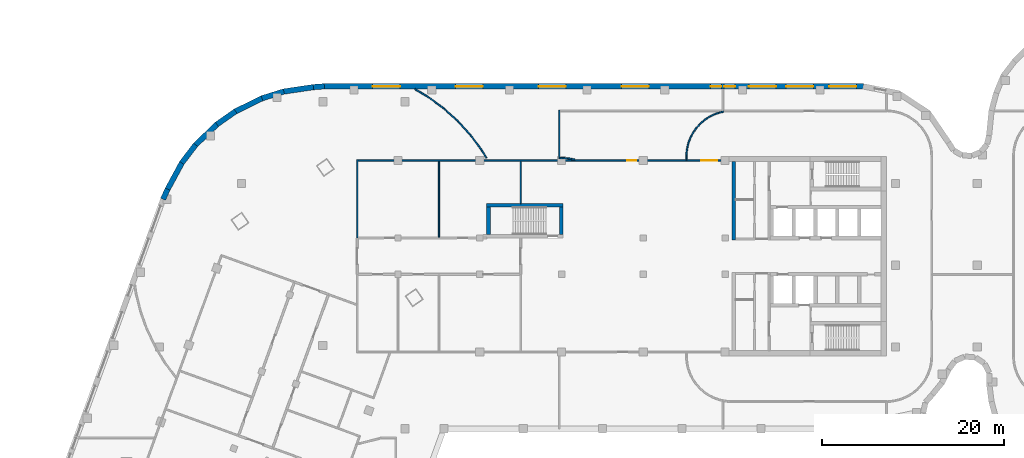
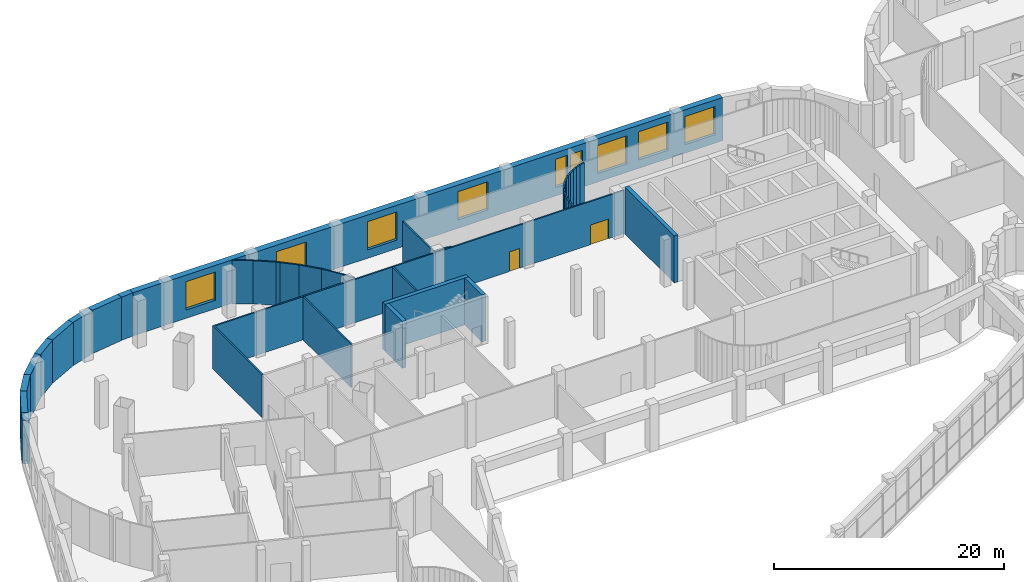
# One storey, part 17 of 25: 45 walls, 9 windows, 2 doors, 11 openings.
"""IFC4 building model written with IfcOpenShell, lengths in metres."""

from ifc_helpers import new_model, si_unit, direction, frame, frame_2d, origin, place, context, subcontext, project, spatial, rectangle, extrude, material, layer, layer_set, type_object, element, fill, save


model = new_model("IFC4")

# Units and contexts
model_context = context("Model", 3, precision=1e-05, world=origin(), true_north=direction((0.0, 1.0)))
body_context = subcontext(model_context, "Body", "Model", "MODEL_VIEW")
ifc_project = project(units=[si_unit("LENGTHUNIT", "METRE"), si_unit("AREAUNIT", "SQUARE_METRE"), si_unit("VOLUMEUNIT", "CUBIC_METRE"), si_unit("PLANEANGLEUNIT", "RADIAN"), si_unit("MASSUNIT", "GRAM", prefix="KILO")], contexts=[model_context])

# Site, building, storey
site_placement = place(None, origin())
site = spatial("IfcSite", under=ifc_project, at=site_placement, CompositionType="ELEMENT")
building_placement = place(site_placement, origin())
building = spatial("IfcBuilding", under=site, at=building_placement, Name="Skarvind Civic Tower", CompositionType="ELEMENT")
storey_placement = place(building_placement, frame((0.0, 0.0, 7.5)))
storey = spatial("IfcBuildingStorey", under=building, at=storey_placement, Name="L01", CompositionType="ELEMENT", Elevation=7.5)

# Walls
ifc_material_1 = material(Name="Concrete C80", Category="concrete")
ifc_layer_1 = layer(ifc_material_1, 0.39990234375)
ifc_layer_set_1 = layer_set([ifc_layer_1], Name="Core wall 400 C80")
wall_type_1 = type_object("IfcWallType", Name="Core wall 400 C80", PredefinedType="SHEAR", material=ifc_layer_set_1)
wall_1_placement = place(storey_placement, frame((91.199951171875, 138.39990234375, 0.0), z_axis=(0.0, 0.0, 1.0), x_axis=(0.0, -1.0, 0.0)))
element("IfcWall", 1, at=wall_1_placement, inside=storey, type_object=wall_type_1, Name="Core wall C1 south inner face L01", PredefinedType="SHEAR", context=body_context, shape_type="SweptSolid", body=[
    extrude(rectangle(XDim=8.599853515625, YDim=0.39990234375, at=frame_2d((4.2998046875, 0.0))), origin(), (0.0, 0.0, 1.0), 5.0),
])
wall_2_placement = place(storey_placement, frame((64.0, 133.60009765625, 0.0), z_axis=(0.0, 0.0, 1.0), x_axis=(1.0, 0.0, 0.0)))
element("IfcWall", 2, at=wall_2_placement, inside=storey, type_object=wall_type_1, Name="Core wall CM outer L01", PredefinedType="SHEAR", context=body_context, shape_type="SweptSolid", body=[
    extrude(rectangle(XDim=8.39990234375, YDim=0.39990234375, at=frame_2d((4.199951171875, 0.0))), origin(), (0.0, 0.0, 1.0), 5.0),
])
for number, where, z_axis, x_axis, name in (
    (3, (64.199951171875, 130.39990234375, 0.0), (0.0, 0.0, 1.0), (0.0, 1.0, 0.0), "Core wall CM west L01"),
    (4, (72.199951171875, 130.39990234375, 0.0), (0.0, 0.0, 1.0), (0.0, 1.0, 0.0), "Core wall CM end L01"),
):
    element("IfcWall", number, at=place(storey_placement, frame(where, z_axis=z_axis, x_axis=x_axis)), inside=storey, type_object=wall_type_1, Name=name, PredefinedType="SHEAR", context=body_context, shape_type="SweptSolid", body=[
        extrude(rectangle(XDim=3.0, YDim=0.39990234375, at=frame_2d((1.5, 0.0))), origin(), (0.0, 0.0, 1.0), 5.0),
    ])
ifc_material_2 = material(Name="Plasterboard partition on steel studs", Category="steel")
ifc_layer_2 = layer(ifc_material_2, 0.14990234375)
ifc_layer_set_2 = layer_set([ifc_layer_2], Name="PARTITION 150")
wall_type_2 = type_object("IfcWallType", Name="PARTITION 150", PredefinedType="PARTITIONING", material=ifc_layer_set_2)
wall_3_placement = place(storey_placement, frame((49.75, 130.0, 0.0), z_axis=(0.0, 0.0, 1.0), x_axis=(0.0, 1.0, 0.0)))
element("IfcWall", 5, at=wall_3_placement, inside=storey, type_object=wall_type_2, Name="Podium partition L01 092", PredefinedType="PARTITIONING", context=body_context, shape_type="SweptSolid", body=[
    extrude(rectangle(XDim=8.625, YDim=0.14990234375, at=frame_2d((4.3125, 0.0))), origin(), (0.0, 0.0, 1.0), 4.60009765625),
])

# Wall, openings, doors
wall_4_placement = place(storey_placement, frame((49.824951171875, 138.550048828125, 0.0), z_axis=(0.0, 0.0, 1.0), x_axis=(1.0, 0.0, 0.0)))
wall_4 = element("IfcWall", 6, at=wall_4_placement, inside=storey, type_object=wall_type_2, Name="Podium partition L01 094", PredefinedType="PARTITIONING", context=body_context, shape_type="SweptSolid", body=[
    extrude(rectangle(XDim=41.175048828125, YDim=0.14990234375, at=frame_2d((20.58740234375, 0.0))), origin(), (0.0, 0.0, 1.0), 4.60009765625),
])
opening_1_placement = place(wall_4_placement, frame((29.64501953125, 0.0, 0.0)))
opening_1 = element("IfcOpeningElement", 7, at=opening_1_placement, cuts=wall_4, Name="Opening L01-D222", PredefinedType="OPENING", context=body_context, shape_type="SweptSolid", body=[
    extrude(rectangle(XDim=1.0, YDim=2.10009765625, at=frame_2d((0.5, 1.050048828125))), frame((0.0, 0.0849609375, 0.0), z_axis=(0.0, -1.0, 0.0), x_axis=(1.0, 0.0, 0.0)), (0.0, 0.0, 1.0), 0.169921875),
])
opening_2_placement = place(wall_4_placement, frame((37.77490234375, 0.0, 0.0)))
opening_2 = element("IfcOpeningElement", 8, at=opening_2_placement, cuts=wall_4, Name="Opening L01-D223", PredefinedType="OPENING", context=body_context, shape_type="SweptSolid", body=[
    extrude(rectangle(XDim=1.800048828125, YDim=2.10009765625, at=frame_2d((0.89990234375, 1.050048828125))), frame((0.0, 0.0849609375, 0.0), z_axis=(0.0, -1.0, 0.0), x_axis=(1.0, 0.0, 0.0)), (0.0, 0.0, 1.0), 0.169921875),
])
ifc_material_3 = material(Name="Timber veneer door leaf", Category="wood")
door_type_1 = type_object("IfcDoorType", Name="DOOR 1000X2100 TIMBER", OperationType="NOTDEFINED", PredefinedType="DOOR", material=ifc_material_3)
door_1_placement = place(opening_1_placement, origin())
door_1 = element("IfcDoor", 9, at=door_1_placement, inside=storey, type_object=door_type_1, Name="DOOR DOOR", OperationType="SINGLE_SWING_LEFT", OverallHeight=2.10009765625, OverallWidth=1.0, PredefinedType="DOOR", context=body_context, shape_type="SweptSolid", body=[
    extrude(rectangle(XDim=1.0, YDim=2.10009765625, at=frame_2d((0.5, 1.050048828125))), frame((0.0, 0.02490234375, 0.0), z_axis=(0.0, -1.0, 0.0), x_axis=(1.0, 0.0, 0.0)), (0.0, 0.0, 1.0), 0.050048828125),
])
fill(opening_1, door_1)
door_type_2 = type_object("IfcDoorType", Name="DOOR 1800X2100 DOUBLE TIMBER", OperationType="NOTDEFINED", PredefinedType="DOOR", material=ifc_material_3)
door_2_placement = place(opening_2_placement, origin())
door_2 = element("IfcDoor", 10, at=door_2_placement, inside=storey, type_object=door_type_2, Name="DOOR DOOR", OperationType="DOUBLE_DOOR_SINGLE_SWING", OverallHeight=2.10009765625, OverallWidth=1.800048828125, PredefinedType="DOOR", context=body_context, shape_type="SweptSolid", body=[
    extrude(rectangle(XDim=1.800048828125, YDim=2.10009765625, at=frame_2d((0.89990234375, 1.050048828125))), frame((0.0, 0.02490234375, 0.0), z_axis=(0.0, -1.0, 0.0), x_axis=(1.0, 0.0, 0.0)), (0.0, 0.0, 1.0), 0.050048828125),
])
fill(opening_2, door_2)

# Walls
wall_5_placement = place(storey_placement, frame((56.10009765625, 146.39990234375, 0.0), z_axis=(0.0, 0.0, 1.0), x_axis=(0.857728238456, -0.514103364076, 0.0)))
element("IfcWall", 11, at=wall_5_placement, inside=storey, type_object=wall_type_2, Name="Podium partition L01 107", PredefinedType="PARTITIONING", context=body_context, shape_type="SweptSolid", body=[
    extrude(rectangle(XDim=1.830322265625, YDim=0.14990234375, at=frame_2d((0.9150390625, 0.0))), origin(), (0.0, 0.0, 1.0), 4.60009765625),
])
wall_6_placement = place(storey_placement, frame((57.6640625, 145.462890625, 0.0), z_axis=(0.0, 0.0, 1.0), x_axis=(0.80317638599, -0.595741297031, 0.0)))
element("IfcWall", 12, at=wall_6_placement, inside=storey, type_object=wall_type_2, Name="Podium partition L01 108", PredefinedType="PARTITIONING", context=body_context, shape_type="SweptSolid", body=[
    extrude(rectangle(XDim=2.06787109375, YDim=0.14990234375, at=frame_2d((1.033935546875, 0.0))), origin(), (0.0, 0.0, 1.0), 4.60009765625),
])
wall_7_placement = place(storey_placement, frame((58.75, 130.10009765625, 0.0), z_axis=(0.0, 0.0, 1.0), x_axis=(0.0, 1.0, 0.0)))
element("IfcWall", 13, at=wall_7_placement, inside=storey, type_object=wall_type_2, Name="Podium partition L01 110", PredefinedType="PARTITIONING", context=body_context, shape_type="SweptSolid", body=[
    extrude(rectangle(XDim=8.375, YDim=0.14990234375, at=frame_2d((4.1875, 0.0))), origin(), (0.0, 0.0, 1.0), 4.60009765625),
])
wall_8_placement = place(storey_placement, frame((59.319091796875, 144.235107421875, 0.0), z_axis=(0.0, 0.0, 1.0), x_axis=(0.741733743968, -0.670694455813, 0.0)))
element("IfcWall", 14, at=wall_8_placement, inside=storey, type_object=wall_type_2, Name="Podium partition L01 111", PredefinedType="PARTITIONING", context=body_context, shape_type="SweptSolid", body=[
    extrude(rectangle(XDim=0.3505859375, YDim=0.14990234375, at=frame_2d((0.17529296875, 0.0))), origin(), (0.0, 0.0, 1.0), 4.60009765625),
])
wall_9_placement = place(storey_placement, frame((59.5791015625, 144.0, 0.0), z_axis=(0.0, 0.0, 1.0), x_axis=(0.741141652103, -0.671348681028, 0.0)))
element("IfcWall", 15, at=wall_9_placement, inside=storey, type_object=wall_type_2, Name="Podium partition L01 112", PredefinedType="PARTITIONING", context=body_context, shape_type="SweptSolid", body=[
    extrude(rectangle(XDim=1.717529296875, YDim=0.14990234375, at=frame_2d((0.85888671875, 0.0))), origin(), (0.0, 0.0, 1.0), 4.60009765625),
])
wall_10_placement = place(storey_placement, frame((60.846923828125, 142.85205078125, 0.0), z_axis=(0.0, 0.0, 1.0), x_axis=(0.671237826278, -0.741242052621, 0.0)))
element("IfcWall", 16, at=wall_10_placement, inside=storey, type_object=wall_type_2, Name="Podium partition L01 113", PredefinedType="PARTITIONING", context=body_context, shape_type="SweptSolid", body=[
    extrude(rectangle(XDim=2.068115234375, YDim=0.14990234375, at=frame_2d((1.0341796875, 0.0))), origin(), (0.0, 0.0, 1.0), 4.60009765625),
])
wall_11_placement = place(storey_placement, frame((62.23095703125, 141.324951171875, 0.0), z_axis=(0.0, 0.0, 1.0), x_axis=(0.595741297031, -0.80317638599, 0.0)))
element("IfcWall", 17, at=wall_11_placement, inside=storey, type_object=wall_type_2, Name="Podium partition L01 114", PredefinedType="PARTITIONING", context=body_context, shape_type="SweptSolid", body=[
    extrude(rectangle(XDim=2.06787109375, YDim=0.14990234375, at=frame_2d((1.033935546875, 0.0))), origin(), (0.0, 0.0, 1.0), 4.60009765625),
])
wall_12_placement = place(storey_placement, frame((63.458984375, 139.669921875, 0.0), z_axis=(0.0, 0.0, 1.0), x_axis=(0.514106720628, -0.857726226604, 0.0)))
element("IfcWall", 18, at=wall_12_placement, inside=storey, type_object=wall_type_2, Name="Podium partition L01 115", PredefinedType="PARTITIONING", context=body_context, shape_type="SweptSolid", body=[
    extrude(rectangle(XDim=1.015380859375, YDim=0.14990234375, at=frame_2d((0.5078125, 0.0))), origin(), (0.0, 0.0, 1.0), 4.60009765625),
])
wall_13_placement = place(storey_placement, frame((67.75, 133.800048828125, 0.0), z_axis=(0.0, 0.0, 1.0), x_axis=(0.0, 1.0, 0.0)))
element("IfcWall", 19, at=wall_13_placement, inside=storey, type_object=wall_type_2, Name="Podium partition L01 119", PredefinedType="PARTITIONING", context=body_context, shape_type="SweptSolid", body=[
    extrude(rectangle(XDim=4.675048828125, YDim=0.14990234375, at=frame_2d((2.33740234375, 0.0))), origin(), (0.0, 0.0, 1.0), 4.60009765625),
])
wall_14_placement = place(storey_placement, frame((72.0, 138.72509765625, 0.0), z_axis=(0.0, 0.0, 1.0), x_axis=(0.0, 1.0, 0.0)))
element("IfcWall", 20, at=wall_14_placement, inside=storey, type_object=wall_type_2, Name="Podium partition L01 121", PredefinedType="PARTITIONING", context=body_context, shape_type="SweptSolid", body=[
    extrude(rectangle(XDim=5.349853515625, YDim=0.14990234375, at=frame_2d((2.6748046875, 0.0))), origin(), (0.0, 0.0, 1.0), 4.60009765625),
])
wall_15_placement = place(storey_placement, frame((72.074951171875, 138.800048828125, 0.0), z_axis=(0.0, 0.0, 1.0), x_axis=(1.0, 0.0, 0.0)))
element("IfcWall", 21, at=wall_15_placement, inside=storey, type_object=wall_type_2, Name="Podium partition L01 122", PredefinedType="PARTITIONING", context=body_context, shape_type="SweptSolid", body=[
    extrude(rectangle(XDim=0.3271484375, YDim=0.14990234375, at=frame_2d((0.16357421875, 0.0))), origin(), (0.0, 0.0, 1.0), 4.60009765625),
])
wall_16_placement = place(storey_placement, frame((72.39794921875, 138.800048828125, 0.0), z_axis=(0.0, 0.0, 1.0), x_axis=(0.998815266503, -0.048662751665, 0.0)))
element("IfcWall", 22, at=wall_16_placement, inside=storey, type_object=wall_type_2, Name="Podium partition L01 124", PredefinedType="PARTITIONING", context=body_context, shape_type="SweptSolid", body=[
    extrude(rectangle(XDim=0.49658203125, YDim=0.14990234375, at=frame_2d((0.248291015625, 0.0))), origin(), (0.0, 0.0, 1.0), 4.60009765625),
])
wall_17_placement = place(storey_placement, frame((72.885986328125, 138.777099609375, 0.0), z_axis=(0.0, 0.0, 1.0), x_axis=(0.988853572557, -0.148891275908, 0.0)))
element("IfcWall", 23, at=wall_17_placement, inside=storey, type_object=wall_type_2, Name="Podium partition L01 125", PredefinedType="PARTITIONING", context=body_context, shape_type="SweptSolid", body=[
    extrude(rectangle(XDim=0.49853515625, YDim=0.14990234375, at=frame_2d((0.249267578125, 0.0))), origin(), (0.0, 0.0, 1.0), 4.60009765625),
])
wall_18_placement = place(storey_placement, frame((73.37109375, 138.705078125, 0.0), z_axis=(0.0, 0.0, 1.0), x_axis=(0.969811847647, -0.243854424119, 0.0)))
element("IfcWall", 24, at=wall_18_placement, inside=storey, type_object=wall_type_2, Name="Podium partition L01 126", PredefinedType="PARTITIONING", context=body_context, shape_type="SweptSolid", body=[
    extrude(rectangle(XDim=0.348388671875, YDim=0.14990234375, at=frame_2d((0.17431640625, 0.0))), origin(), (0.0, 0.0, 1.0), 4.60009765625),
])
wall_19_placement = place(storey_placement, frame((86.0, 138.625, 0.0), z_axis=(0.0, 0.0, 1.0), x_axis=(0.0, 1.0, 0.0)))
element("IfcWall", 25, at=wall_19_placement, inside=storey, type_object=wall_type_2, Name="Podium partition L01 130", PredefinedType="PARTITIONING", context=body_context, shape_type="SweptSolid", body=[
    extrude(rectangle(XDim=0.376953125, YDim=0.14990234375, at=frame_2d((0.1884765625, 0.0))), origin(), (0.0, 0.0, 1.0), 4.60009765625),
])
wall_20_placement = place(storey_placement, frame((86.0, 138.998046875, 0.0), z_axis=(0.0, 0.0, 1.0), x_axis=(0.048196018647, 0.998837896651, 0.0)))
element("IfcWall", 26, at=wall_20_placement, inside=storey, type_object=wall_type_2, Name="Podium partition L01 131", PredefinedType="PARTITIONING", context=body_context, shape_type="SweptSolid", body=[
    extrude(rectangle(XDim=0.496337890625, YDim=0.14990234375, at=frame_2d((0.248046875, 0.0))), origin(), (0.0, 0.0, 1.0), 4.60009765625),
])
wall_21_placement = place(storey_placement, frame((86.02294921875, 139.486083984375, 0.0), z_axis=(0.0, 0.0, 1.0), x_axis=(0.148412307247, 0.988925572052, 0.0)))
element("IfcWall", 27, at=wall_21_placement, inside=storey, type_object=wall_type_2, Name="Podium partition L01 133", PredefinedType="PARTITIONING", context=body_context, shape_type="SweptSolid", body=[
    extrude(rectangle(XDim=0.49853515625, YDim=0.14990234375, at=frame_2d((0.249267578125, 0.0))), origin(), (0.0, 0.0, 1.0), 4.60009765625),
])
wall_22_placement = place(storey_placement, frame((86.094970703125, 139.970947265625, 0.0), z_axis=(0.0, 0.0, 1.0), x_axis=(0.242650732785, 0.970113715952, 0.0)))
element("IfcWall", 28, at=wall_22_placement, inside=storey, type_object=wall_type_2, Name="Podium partition L01 135", PredefinedType="PARTITIONING", context=body_context, shape_type="SweptSolid", body=[
    extrude(rectangle(XDim=0.4990234375, YDim=0.14990234375, at=frame_2d((0.24951171875, 0.0))), origin(), (0.0, 0.0, 1.0), 4.60009765625),
])
for number, where, z_axis, x_axis, name in (
    (29, (86.214111328125, 140.447021484375, 0.0), (0.0, 0.0, 1.0), (0.3371744988, 0.941442168887, 0.0), "Podium partition L01 137"),
    (30, (86.37890625, 140.909912109375, 0.0), (0.0, 0.0, 1.0), (0.427896709028, 0.903827641978, 0.0), "Podium partition L01 139"),
):
    element("IfcWall", number, at=place(storey_placement, frame(where, z_axis=z_axis, x_axis=x_axis)), inside=storey, type_object=wall_type_2, Name=name, PredefinedType="PARTITIONING", context=body_context, shape_type="SweptSolid", body=[
        extrude(rectangle(XDim=0.498046875, YDim=0.14990234375, at=frame_2d((0.2490234375, 0.0))), origin(), (0.0, 0.0, 1.0), 4.60009765625),
    ])
wall_23_placement = place(storey_placement, frame((86.587890625, 141.35400390625, 0.0), z_axis=(0.0, 0.0, 1.0), x_axis=(0.515791778052, 0.85671397893, 0.0)))
element("IfcWall", 31, at=wall_23_placement, inside=storey, type_object=wall_type_2, Name="Podium partition L01 141", PredefinedType="PARTITIONING", context=body_context, shape_type="SweptSolid", body=[
    extrude(rectangle(XDim=0.49853515625, YDim=0.14990234375, at=frame_2d((0.249267578125, 0.0))), origin(), (0.0, 0.0, 1.0), 4.60009765625),
])
wall_24_placement = place(storey_placement, frame((86.841064453125, 141.77490234375, 0.0), z_axis=(0.0, 0.0, 1.0), x_axis=(0.594570362092, 0.80404358372, 0.0)))
element("IfcWall", 32, at=wall_24_placement, inside=storey, type_object=wall_type_2, Name="Podium partition L01 143", PredefinedType="PARTITIONING", context=body_context, shape_type="SweptSolid", body=[
    extrude(rectangle(XDim=0.49755859375, YDim=0.14990234375, at=frame_2d((0.248779296875, 0.0))), origin(), (0.0, 0.0, 1.0), 4.60009765625),
])
for number, where, z_axis, x_axis, name in (
    (33, (87.133056640625, 142.1689453125, 0.0), (0.0, 0.0, 1.0), (0.66993818776, 0.742416880587, 0.0), "Podium partition L01 145"),
    (34, (87.4609375, 142.532958984375, 0.0), (0.0, 0.0, 1.0), (0.742416880587, 0.66993818776, 0.0), "Podium partition L01 147"),
):
    element("IfcWall", number, at=place(storey_placement, frame(where, z_axis=z_axis, x_axis=x_axis)), inside=storey, type_object=wall_type_2, Name=name, PredefinedType="PARTITIONING", context=body_context, shape_type="SweptSolid", body=[
        extrude(rectangle(XDim=0.49853515625, YDim=0.14990234375, at=frame_2d((0.249267578125, 0.0))), origin(), (0.0, 0.0, 1.0), 4.60009765625),
    ])
wall_25_placement = place(storey_placement, frame((87.824951171875, 142.863037109375, 0.0), z_axis=(0.0, 0.0, 1.0), x_axis=(0.80404358372, 0.594570362092, 0.0)))
element("IfcWall", 35, at=wall_25_placement, inside=storey, type_object=wall_type_2, Name="Podium partition L01 149", PredefinedType="PARTITIONING", context=body_context, shape_type="SweptSolid", body=[
    extrude(rectangle(XDim=0.49755859375, YDim=0.14990234375, at=frame_2d((0.248779296875, 0.0))), origin(), (0.0, 0.0, 1.0), 4.60009765625),
])
wall_26_placement = place(storey_placement, frame((88.218994140625, 143.155029296875, 0.0), z_axis=(0.0, 0.0, 1.0), x_axis=(0.85671397893, 0.515791778052, 0.0)))
element("IfcWall", 36, at=wall_26_placement, inside=storey, type_object=wall_type_2, Name="Podium partition L01 151", PredefinedType="PARTITIONING", context=body_context, shape_type="SweptSolid", body=[
    extrude(rectangle(XDim=0.49853515625, YDim=0.14990234375, at=frame_2d((0.249267578125, 0.0))), origin(), (0.0, 0.0, 1.0), 4.60009765625),
])
for number, where, z_axis, x_axis, name in (
    (37, (88.639892578125, 143.407958984375, 0.0), (0.0, 0.0, 1.0), (0.903827641978, 0.427896709028, 0.0), "Podium partition L01 153"),
    (38, (89.083984375, 143.617919921875, 0.0), (0.0, 0.0, 1.0), (0.941442168887, 0.3371744988, 0.0), "Podium partition L01 155"),
):
    element("IfcWall", number, at=place(storey_placement, frame(where, z_axis=z_axis, x_axis=x_axis)), inside=storey, type_object=wall_type_2, Name=name, PredefinedType="PARTITIONING", context=body_context, shape_type="SweptSolid", body=[
        extrude(rectangle(XDim=0.498046875, YDim=0.14990234375, at=frame_2d((0.2490234375, 0.0))), origin(), (0.0, 0.0, 1.0), 4.60009765625),
    ])
wall_27_placement = place(storey_placement, frame((89.544921875, 143.783935546875, 0.0), z_axis=(0.0, 0.0, 1.0), x_axis=(0.970116111764, 0.242641154168, 0.0)))
element("IfcWall", 39, at=wall_27_placement, inside=storey, type_object=wall_type_2, Name="Podium partition L01 157", PredefinedType="PARTITIONING", context=body_context, shape_type="SweptSolid", body=[
    extrude(rectangle(XDim=0.54443359375, YDim=0.14990234375, at=frame_2d((0.272216796875, 0.0))), origin(), (0.0, 0.0, 1.0), 4.60009765625),
])

# Wall, openings, windows
ifc_material_4 = material(Name="Limestone masonry cladding on insulated backing", Category="masonry")
ifc_layer_3 = layer(ifc_material_4, 0.60009765625)
ifc_layer_set_3 = layer_set([ifc_layer_3], Name="WX1 STONE FACADE WALL 600")
wall_type_3 = type_object("IfcWallType", Name="WX1 STONE FACADE WALL 600", PredefinedType="SOLIDWALL", material=ifc_layer_set_3)
wall_28_placement = place(storey_placement, frame((46.114013671875, 146.699951171875, 0.0), z_axis=(0.0, 0.0, 1.0), x_axis=(1.0, 0.0, 0.0)))
wall_28 = element("IfcWall", 40, at=wall_28_placement, inside=storey, type_object=wall_type_3, Name="STONE FACADE WALL", PredefinedType="SOLIDWALL", context=body_context, shape_type="SweptSolid", body=[
    extrude(rectangle(XDim=59.3642578125, YDim=0.60009765625, at=frame_2d((29.68212890625, 0.0))), origin(), (0.0, 0.0, 1.0), 4.60009765625),
])
opening_3_placement = place(wall_28_placement, frame((5.349609375, 0.0, 0.89990234375)))
opening_3 = element("IfcOpeningElement", 41, at=opening_3_placement, cuts=wall_28, Name="Opening WN2", PredefinedType="OPENING", context=body_context, shape_type="SweptSolid", body=[
    extrude(rectangle(XDim=3.0, YDim=3.0, at=frame_2d((1.5, 1.5))), frame((0.0, 0.31005859375, 0.0), z_axis=(0.0, -1.0, 0.0), x_axis=(1.0, 0.0, 0.0)), (0.0, 0.0, 1.0), 0.6201171875),
])
opening_4_placement = place(wall_28_placement, frame((14.482666015625, 0.0, 0.89990234375)))
opening_4 = element("IfcOpeningElement", 42, at=opening_4_placement, cuts=wall_28, Name="Opening WN2", PredefinedType="OPENING", context=body_context, shape_type="SweptSolid", body=[
    extrude(rectangle(XDim=3.0, YDim=3.0, at=frame_2d((1.5, 1.5))), frame((0.0, 0.31005859375, 0.0), z_axis=(0.0, -1.0, 0.0), x_axis=(1.0, 0.0, 0.0)), (0.0, 0.0, 1.0), 0.6201171875),
])
opening_5_placement = place(wall_28_placement, frame((23.615478515625, 0.0, 0.89990234375)))
opening_5 = element("IfcOpeningElement", 43, at=opening_5_placement, cuts=wall_28, Name="Opening WN2", PredefinedType="OPENING", context=body_context, shape_type="SweptSolid", body=[
    extrude(rectangle(XDim=3.0, YDim=3.0, at=frame_2d((1.5, 1.5))), frame((0.0, 0.31005859375, 0.0), z_axis=(0.0, -1.0, 0.0), x_axis=(1.0, 0.0, 0.0)), (0.0, 0.0, 1.0), 0.6201171875),
])
opening_6_placement = place(wall_28_placement, frame((32.74853515625, 0.0, 0.89990234375)))
opening_6 = element("IfcOpeningElement", 44, at=opening_6_placement, cuts=wall_28, Name="Opening WN2", PredefinedType="OPENING", context=body_context, shape_type="SweptSolid", body=[
    extrude(rectangle(XDim=3.0, YDim=3.0, at=frame_2d((1.5, 1.5))), frame((0.0, 0.31005859375, 0.0), z_axis=(0.0, -1.0, 0.0), x_axis=(1.0, 0.0, 0.0)), (0.0, 0.0, 1.0), 0.6201171875),
])
opening_7_placement = place(wall_28_placement, frame((42.5361328125, 0.0, 0.89990234375)))
opening_7 = element("IfcOpeningElement", 45, at=opening_7_placement, cuts=wall_28, Name="Opening WN6", PredefinedType="OPENING", context=body_context, shape_type="SweptSolid", body=[
    extrude(rectangle(XDim=1.199951171875, YDim=3.0, at=frame_2d((0.60009765625, 1.5))), frame((0.0, 0.31005859375, 0.0), z_axis=(0.0, -1.0, 0.0), x_axis=(1.0, 0.0, 0.0)), (0.0, 0.0, 1.0), 0.6201171875),
])
opening_8_placement = place(wall_28_placement, frame((44.0361328125, 0.0, 0.89990234375)))
opening_8 = element("IfcOpeningElement", 46, at=opening_8_placement, cuts=wall_28, Name="Opening WN6", PredefinedType="OPENING", context=body_context, shape_type="SweptSolid", body=[
    extrude(rectangle(XDim=1.199951171875, YDim=3.0, at=frame_2d((0.60009765625, 1.5))), frame((0.0, 0.31005859375, 0.0), z_axis=(0.0, -1.0, 0.0), x_axis=(1.0, 0.0, 0.0)), (0.0, 0.0, 1.0), 0.6201171875),
])
opening_9_placement = place(wall_28_placement, frame((46.748046875, 0.0, 0.89990234375)))
opening_9 = element("IfcOpeningElement", 47, at=opening_9_placement, cuts=wall_28, Name="Opening WN2", PredefinedType="OPENING", context=body_context, shape_type="SweptSolid", body=[
    extrude(rectangle(XDim=3.0, YDim=3.0, at=frame_2d((1.5, 1.5))), frame((0.0, 0.31005859375, 0.0), z_axis=(0.0, -1.0, 0.0), x_axis=(1.0, 0.0, 0.0)), (0.0, 0.0, 1.0), 0.6201171875),
])
opening_10_placement = place(wall_28_placement, frame((50.864501953125, 0.0, 0.89990234375)))
opening_10 = element("IfcOpeningElement", 48, at=opening_10_placement, cuts=wall_28, Name="Opening WN2", PredefinedType="OPENING", context=body_context, shape_type="SweptSolid", body=[
    extrude(rectangle(XDim=3.0, YDim=3.0, at=frame_2d((1.5, 1.5))), frame((0.0, 0.31005859375, 0.0), z_axis=(0.0, -1.0, 0.0), x_axis=(1.0, 0.0, 0.0)), (0.0, 0.0, 1.0), 0.6201171875),
])
opening_11_placement = place(wall_28_placement, frame((55.5810546875, 0.0, 0.89990234375)))
opening_11 = element("IfcOpeningElement", 49, at=opening_11_placement, cuts=wall_28, Name="Opening WN2", PredefinedType="OPENING", context=body_context, shape_type="SweptSolid", body=[
    extrude(rectangle(XDim=3.0, YDim=3.0, at=frame_2d((1.5, 1.5))), frame((0.0, 0.31005859375, 0.0), z_axis=(0.0, -1.0, 0.0), x_axis=(1.0, 0.0, 0.0)), (0.0, 0.0, 1.0), 0.6201171875),
])
ifc_material_5 = material(Name="Timber frame, double glazing, timber-lined reveal", Category="wood")
window_type_1 = type_object("IfcWindowType", Name="WN2 PODIUM STONE WINDOW 3000 x 3000", PartitioningType="SINGLE_PANEL", PredefinedType="WINDOW", material=ifc_material_5)
window_1_placement = place(opening_3_placement, origin())
window_1 = element("IfcWindow", 50, at=window_1_placement, inside=storey, type_object=window_type_1, Name="WN2 WINDOW", OverallHeight=3.0, OverallWidth=3.0, PartitioningType="SINGLE_PANEL", PredefinedType="WINDOW", context=body_context, shape_type="SweptSolid", body=[
    extrude(rectangle(XDim=3.0, YDim=3.0, at=frame_2d((1.5, 1.5))), frame((0.0, 0.030029296875, 0.0), z_axis=(0.0, -1.0, 0.0), x_axis=(1.0, 0.0, 0.0)), (0.0, 0.0, 1.0), 0.06005859375),
])
fill(opening_3, window_1)
window_2_placement = place(opening_4_placement, origin())
window_2 = element("IfcWindow", 51, at=window_2_placement, inside=storey, type_object=window_type_1, Name="WN2 WINDOW", OverallHeight=3.0, OverallWidth=3.0, PartitioningType="SINGLE_PANEL", PredefinedType="WINDOW", context=body_context, shape_type="SweptSolid", body=[
    extrude(rectangle(XDim=3.0, YDim=3.0, at=frame_2d((1.5, 1.5))), frame((0.0, 0.030029296875, 0.0), z_axis=(0.0, -1.0, 0.0), x_axis=(1.0, 0.0, 0.0)), (0.0, 0.0, 1.0), 0.06005859375),
])
fill(opening_4, window_2)
window_3_placement = place(opening_5_placement, origin())
window_3 = element("IfcWindow", 52, at=window_3_placement, inside=storey, type_object=window_type_1, Name="WN2 WINDOW", OverallHeight=3.0, OverallWidth=3.0, PartitioningType="SINGLE_PANEL", PredefinedType="WINDOW", context=body_context, shape_type="SweptSolid", body=[
    extrude(rectangle(XDim=3.0, YDim=3.0, at=frame_2d((1.5, 1.5))), frame((0.0, 0.030029296875, 0.0), z_axis=(0.0, -1.0, 0.0), x_axis=(1.0, 0.0, 0.0)), (0.0, 0.0, 1.0), 0.06005859375),
])
fill(opening_5, window_3)
window_4_placement = place(opening_6_placement, origin())
window_4 = element("IfcWindow", 53, at=window_4_placement, inside=storey, type_object=window_type_1, Name="WN2 WINDOW", OverallHeight=3.0, OverallWidth=3.0, PartitioningType="SINGLE_PANEL", PredefinedType="WINDOW", context=body_context, shape_type="SweptSolid", body=[
    extrude(rectangle(XDim=3.0, YDim=3.0, at=frame_2d((1.5, 1.5))), frame((0.0, 0.030029296875, 0.0), z_axis=(0.0, -1.0, 0.0), x_axis=(1.0, 0.0, 0.0)), (0.0, 0.0, 1.0), 0.06005859375),
])
fill(opening_6, window_4)
window_5_placement = place(opening_9_placement, origin())
window_5 = element("IfcWindow", 54, at=window_5_placement, inside=storey, type_object=window_type_1, Name="WN2 WINDOW", OverallHeight=3.0, OverallWidth=3.0, PartitioningType="SINGLE_PANEL", PredefinedType="WINDOW", context=body_context, shape_type="SweptSolid", body=[
    extrude(rectangle(XDim=3.0, YDim=3.0, at=frame_2d((1.5, 1.5))), frame((0.0, 0.030029296875, 0.0), z_axis=(0.0, -1.0, 0.0), x_axis=(1.0, 0.0, 0.0)), (0.0, 0.0, 1.0), 0.06005859375),
])
fill(opening_9, window_5)
window_6_placement = place(opening_10_placement, origin())
window_6 = element("IfcWindow", 55, at=window_6_placement, inside=storey, type_object=window_type_1, Name="WN2 WINDOW", OverallHeight=3.0, OverallWidth=3.0, PartitioningType="SINGLE_PANEL", PredefinedType="WINDOW", context=body_context, shape_type="SweptSolid", body=[
    extrude(rectangle(XDim=3.0, YDim=3.0, at=frame_2d((1.5, 1.5))), frame((0.0, 0.030029296875, 0.0), z_axis=(0.0, -1.0, 0.0), x_axis=(1.0, 0.0, 0.0)), (0.0, 0.0, 1.0), 0.06005859375),
])
fill(opening_10, window_6)
window_7_placement = place(opening_11_placement, origin())
window_7 = element("IfcWindow", 56, at=window_7_placement, inside=storey, type_object=window_type_1, Name="WN2 WINDOW", OverallHeight=3.0, OverallWidth=3.0, PartitioningType="SINGLE_PANEL", PredefinedType="WINDOW", context=body_context, shape_type="SweptSolid", body=[
    extrude(rectangle(XDim=3.0, YDim=3.0, at=frame_2d((1.5, 1.5))), frame((0.0, 0.030029296875, 0.0), z_axis=(0.0, -1.0, 0.0), x_axis=(1.0, 0.0, 0.0)), (0.0, 0.0, 1.0), 0.06005859375),
])
fill(opening_11, window_7)
window_type_2 = type_object("IfcWindowType", Name="WN6 NARROW PODIUM WINDOW 1200 x 3000", PartitioningType="SINGLE_PANEL", PredefinedType="WINDOW", material=ifc_material_5)
window_8_placement = place(opening_7_placement, origin())
window_8 = element("IfcWindow", 57, at=window_8_placement, inside=storey, type_object=window_type_2, Name="WN6 WINDOW", OverallHeight=3.0, OverallWidth=1.199951171875, PartitioningType="SINGLE_PANEL", PredefinedType="WINDOW", context=body_context, shape_type="SweptSolid", body=[
    extrude(rectangle(XDim=1.199951171875, YDim=3.0, at=frame_2d((0.60009765625, 1.5))), frame((0.0, 0.030029296875, 0.0), z_axis=(0.0, -1.0, 0.0), x_axis=(1.0, 0.0, 0.0)), (0.0, 0.0, 1.0), 0.06005859375),
])
fill(opening_7, window_8)
window_9_placement = place(opening_8_placement, origin())
window_9 = element("IfcWindow", 58, at=window_9_placement, inside=storey, type_object=window_type_2, Name="WN6 WINDOW", OverallHeight=3.0, OverallWidth=1.199951171875, PartitioningType="SINGLE_PANEL", PredefinedType="WINDOW", context=body_context, shape_type="SweptSolid", body=[
    extrude(rectangle(XDim=1.199951171875, YDim=3.0, at=frame_2d((0.60009765625, 1.5))), frame((0.0, 0.030029296875, 0.0), z_axis=(0.0, -1.0, 0.0), x_axis=(1.0, 0.0, 0.0)), (0.0, 0.0, 1.0), 0.06005859375),
])
fill(opening_8, window_9)

# Walls
wall_29_placement = place(storey_placement, frame((44.922607421875, 146.611083984375, 0.0), z_axis=(0.0, 0.0, 1.0), x_axis=(0.997284700817, 0.073642552354, 0.0)))
element("IfcWall", 59, at=wall_29_placement, inside=storey, type_object=wall_type_3, Name="STONE FACADE WALL", PredefinedType="SOLIDWALL", context=body_context, shape_type="SweptSolid", body=[
    extrude(rectangle(XDim=1.216796875, YDim=0.60009765625, at=frame_2d((0.6083984375, 0.0))), origin(), (0.0, 0.0, 1.0), 4.60009765625),
])
wall_30_placement = place(storey_placement, frame((41.63232421875, 146.120849609375, 0.0), z_axis=(0.0, 0.0, 1.0), x_axis=(0.989117960185, 0.14712464389, 0.0)))
element("IfcWall", 60, at=wall_30_placement, inside=storey, type_object=wall_type_3, Name="STONE FACADE WALL", PredefinedType="SOLIDWALL", context=body_context, shape_type="SweptSolid", body=[
    extrude(rectangle(XDim=3.3486328125, YDim=0.60009765625, at=frame_2d((1.67431640625, 0.0))), origin(), (0.0, 0.0, 1.0), 4.60009765625),
])
wall_31_placement = place(storey_placement, frame((39.279541015625, 145.384033203125, 0.0), z_axis=(0.0, 0.0, 1.0), x_axis=(0.954711451083, 0.297533267335, 0.0)))
element("IfcWall", 61, at=wall_31_placement, inside=storey, type_object=wall_type_3, Name="STONE FACADE WALL", PredefinedType="SOLIDWALL", context=body_context, shape_type="SweptSolid", body=[
    extrude(rectangle(XDim=2.51171875, YDim=0.60009765625, at=frame_2d((1.255859375, 0.0))), origin(), (0.0, 0.0, 1.0), 4.60009765625),
])
wall_32_placement = place(storey_placement, frame((36.323486328125, 143.928466796875, 0.0), z_axis=(0.0, 0.0, 1.0), x_axis=(0.897590342017, 0.440830554656, 0.0)))
element("IfcWall", 62, at=wall_32_placement, inside=storey, type_object=wall_type_3, Name="STONE FACADE WALL", PredefinedType="SOLIDWALL", context=body_context, shape_type="SweptSolid", body=[
    extrude(rectangle(XDim=3.34130859375, YDim=0.60009765625, at=frame_2d((1.670654296875, 0.0))), origin(), (0.0, 0.0, 1.0), 4.60009765625),
])
wall_33_placement = place(storey_placement, frame((34.305908203125, 142.511474609375, 0.0), z_axis=(0.0, 0.0, 1.0), x_axis=(0.819136010061, 0.57359933492, 0.0)))
element("IfcWall", 63, at=wall_33_placement, inside=storey, type_object=wall_type_3, Name="STONE FACADE WALL", PredefinedType="SOLIDWALL", context=body_context, shape_type="SweptSolid", body=[
    extrude(rectangle(XDim=2.51171875, YDim=0.60009765625, at=frame_2d((1.255859375, 0.0))), origin(), (0.0, 0.0, 1.0), 4.60009765625),
])
wall_34_placement = place(storey_placement, frame((31.931884765625, 140.226318359375, 0.0), z_axis=(0.0, 0.0, 1.0), x_axis=(0.721175568195, 0.692752336581, 0.0)))
element("IfcWall", 64, at=wall_34_placement, inside=storey, type_object=wall_type_3, Name="STONE FACADE WALL", PredefinedType="SOLIDWALL", context=body_context, shape_type="SweptSolid", body=[
    extrude(rectangle(XDim=3.34130859375, YDim=0.60009765625, at=frame_2d((1.670654296875, 0.0))), origin(), (0.0, 0.0, 1.0), 4.60009765625),
])
wall_35_placement = place(storey_placement, frame((30.440673828125, 138.26318359375, 0.0), z_axis=(0.0, 0.0, 1.0), x_axis=(0.606110577383, 0.795380392004, 0.0)))
element("IfcWall", 65, at=wall_35_placement, inside=storey, type_object=wall_type_3, Name="STONE FACADE WALL", PredefinedType="SOLIDWALL", context=body_context, shape_type="SweptSolid", body=[
    extrude(rectangle(XDim=2.511474609375, YDim=0.60009765625, at=frame_2d((1.255859375, 0.0))), origin(), (0.0, 0.0, 1.0), 4.60009765625),
])
wall_36_placement = place(storey_placement, frame((28.8701171875, 135.35791015625, 0.0), z_axis=(0.0, 0.0, 1.0), x_axis=(0.476510950298, 0.879168535746, 0.0)))
element("IfcWall", 66, at=wall_36_placement, inside=storey, type_object=wall_type_3, Name="STONE FACADE WALL", PredefinedType="SOLIDWALL", context=body_context, shape_type="SweptSolid", body=[
    extrude(rectangle(XDim=3.3486328125, YDim=0.60009765625, at=frame_2d((1.67431640625, 0.0))), origin(), (0.0, 0.0, 1.0), 4.60009765625),
])
wall_37_placement = place(storey_placement, frame((28.380615234375, 134.268310546875, 0.0), z_axis=(0.0, 0.0, 1.0), x_axis=(0.410322962362, 0.911940275763, 0.0)))
element("IfcWall", 67, at=wall_37_placement, inside=storey, type_object=wall_type_3, Name="STONE FACADE WALL", PredefinedType="SOLIDWALL", context=body_context, shape_type="SweptSolid", body=[
    extrude(rectangle(XDim=1.216796875, YDim=0.60009765625, at=frame_2d((0.6083984375, 0.0))), origin(), (0.0, 0.0, 1.0), 4.60009765625),
])

save(model, "model.ifc")
